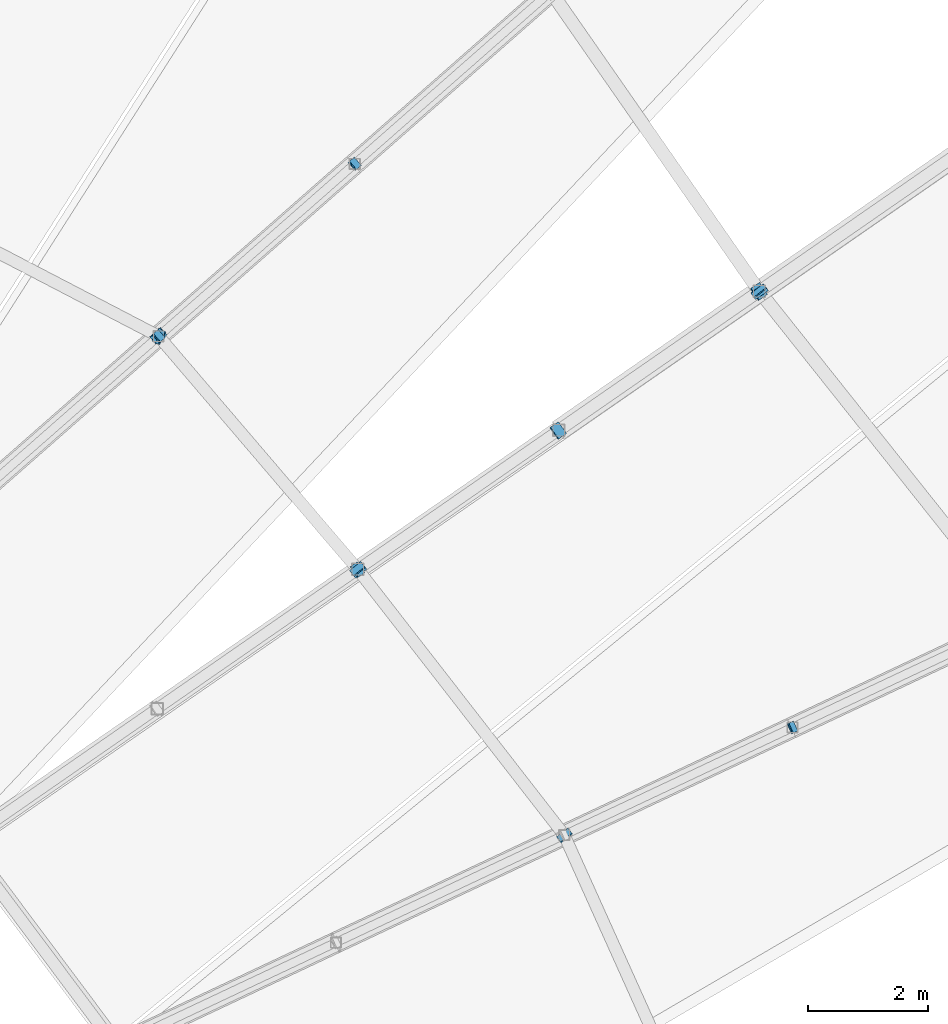
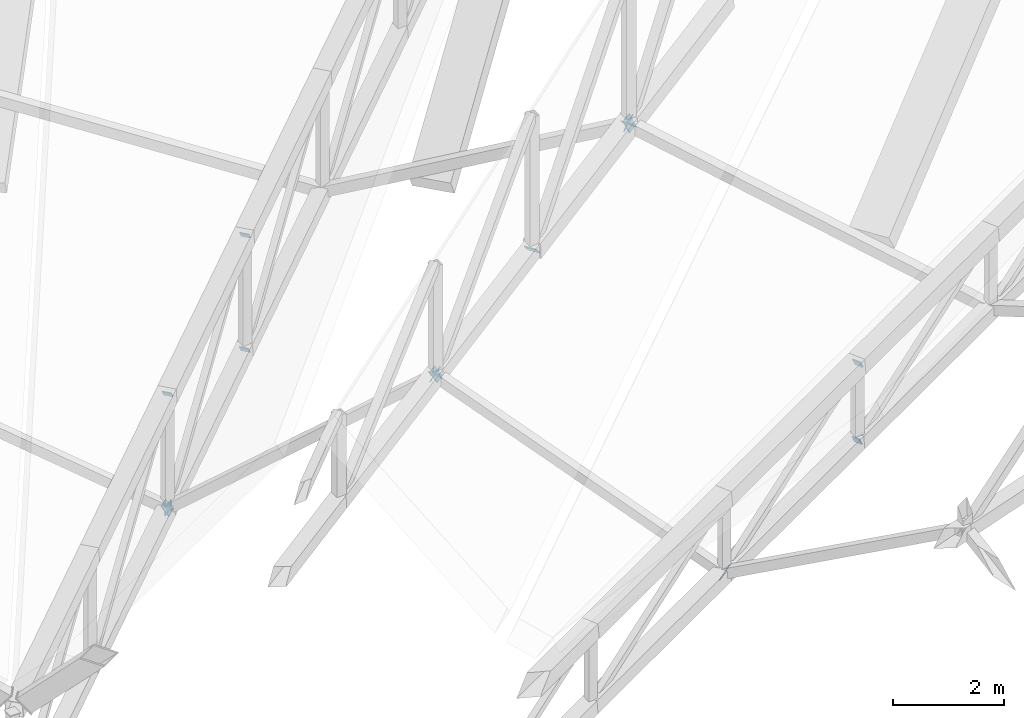
# One storey, part 332 of 344: 16 discrete accessories.
"""IFC4 building model written with IfcOpenShell, lengths in metres."""

from ifc_helpers import new_model, si_unit, direction, frame, origin, origin_2d, place, context, subcontext, project, spatial, rectangle, extrude, material, material_profile, profile_set, type_object, element, save


model = new_model("IFC4")

# Units and contexts
model_context = context("Model", 3, precision=1e-05, world=origin(), true_north=direction((0.0, 1.0)))
body_context = subcontext(model_context, "Body", "Model", "MODEL_VIEW")
ifc_project = project(units=[si_unit("LENGTHUNIT", "METRE"), si_unit("AREAUNIT", "SQUARE_METRE"), si_unit("VOLUMEUNIT", "CUBIC_METRE"), si_unit("PLANEANGLEUNIT", "RADIAN"), si_unit("MASSUNIT", "GRAM", prefix="KILO")], contexts=[model_context])

# Site, building, storey
site_placement = place(None, origin())
site = spatial("IfcSite", under=ifc_project, at=site_placement, CompositionType="ELEMENT")
building_placement = place(site_placement, origin())
building = spatial("IfcBuilding", under=site, at=building_placement, Name="Meseta Stadium", CompositionType="ELEMENT")
storey_placement = place(building_placement, frame((0.0, 0.0, 24.0)))
storey = spatial("IfcBuildingStorey", under=building, at=storey_placement, Name="L04", CompositionType="ELEMENT", Elevation=24.0)

# Discrete accessories
ifc_material_1 = material(Name="Steel S355", Category="steel")
ifc_material_profile_1 = material_profile(ifc_material_1, rectangle(XDim=0.179931640625, YDim=0.179931640625, at=origin_2d()), Name="PL 180x180")
ifc_profile_set_1 = profile_set([ifc_material_profile_1], Name="Steel S355")
discrete_accessory_type_1 = type_object("IfcDiscreteAccessoryType", Name="End plate 180x180x20", PredefinedType="ANCHORPLATE", material=ifc_profile_set_1)
discrete_accessory_1_placement = place(storey_placement, frame((55.553955078125, 60.97265625, 5.543701171875), z_axis=(0.802836314561, 0.382891165406, 0.456999132904), x_axis=(-0.430472524882, 0.902603681203, 0.0)))
element("IfcDiscreteAccessory", 1, at=discrete_accessory_1_placement, inside=storey, type_object=discrete_accessory_type_1, Name="End plate of ROOF TRUSS RT-11 diagonal", PredefinedType="ANCHORPLATE", context=body_context, shape_type="SweptSolid", body=[
    extrude(rectangle(XDim=0.179931640625, YDim=0.179931640625, at=origin_2d()), origin(), (0.0, 0.0, 1.0), 0.019775390625),
])
for number, where, z_axis, x_axis, name in (
    (2, (55.537841796875, 60.965087890625, 3.85498046875), (0.807162077407, 0.379121581812, 0.452499952486), (-0.425136471467, 0.905129261834, 0.0), "End plate of ROOF TRUSS RT-11 diagonal"),
    (3, (44.960205078125, 67.51220703125, 4.607666015625), (0.609031921418, 0.535948090848, 0.584670644561), (-0.660627894892, 0.750713516923, 0.0), "End plate of ROOF TRUSS RT-13 diagonal"),
    (4, (44.947998046875, 67.50146484375, 2.1025390625), (0.613369973061, 0.539765576293, 0.576567774677), (-0.660627894892, 0.750713516923, 0.0), "End plate of ROOF TRUSS RT-13 diagonal"),
):
    element("IfcDiscreteAccessory", number, at=place(storey_placement, frame(where, z_axis=z_axis, x_axis=x_axis)), inside=storey, type_object=discrete_accessory_type_1, Name=name, PredefinedType="ANCHORPLATE", context=body_context, shape_type="SweptSolid", body=[
        extrude(rectangle(XDim=0.179931640625, YDim=0.179931640625, at=origin_2d()), origin(), (0.0, 0.0, 1.0), 0.02001953125),
    ])
discrete_accessory_2_placement = place(storey_placement, frame((48.237060546875, 70.392333984375, 5.2109375), z_axis=(0.616609740429, 0.531977030959, 0.580338579228), x_axis=(-0.653233256547, 0.757156729179, 0.0)))
element("IfcDiscreteAccessory", 5, at=discrete_accessory_2_placement, inside=storey, type_object=discrete_accessory_type_1, Name="End plate of ROOF TRUSS RT-13 diagonal", PredefinedType="ANCHORPLATE", context=body_context, shape_type="SweptSolid", body=[
    extrude(rectangle(XDim=0.179931640625, YDim=0.179931640625, at=origin_2d()), origin(), (0.0, 0.0, 1.0), 0.020263671875),
])
discrete_accessory_3_placement = place(storey_placement, frame((48.224853515625, 70.381591796875, 2.705810546875), z_axis=(0.613369973061, 0.539765576293, 0.576567774677), x_axis=(-0.660627894892, 0.750713516923, 0.0)))
element("IfcDiscreteAccessory", 6, at=discrete_accessory_3_placement, inside=storey, type_object=discrete_accessory_type_1, Name="End plate of ROOF TRUSS RT-13 diagonal", PredefinedType="ANCHORPLATE", context=body_context, shape_type="SweptSolid", body=[
    extrude(rectangle(XDim=0.179931640625, YDim=0.179931640625, at=origin_2d()), origin(), (0.0, 0.0, 1.0), 0.02001953125),
])
ifc_material_2 = material(Name="Steel S355", Category="steel")
ifc_material_profile_2 = material_profile(ifc_material_2, rectangle(XDim=0.219970703125, YDim=0.219970703125, at=origin_2d()), Name="PL 220x220")
ifc_profile_set_2 = profile_set([ifc_material_profile_2], Name="Steel S355")
discrete_accessory_type_2 = type_object("IfcDiscreteAccessoryType", Name="End plate 220x220x20", PredefinedType="ANCHORPLATE", material=ifc_profile_set_2)
discrete_accessory_4_placement = place(storey_placement, frame((48.276611328125, 63.604736328125, 6.234619140625), z_axis=(0.655569641534, 0.449186606236, 0.607008927346), x_axis=(-0.565231440294, 0.824932372321, 0.0)))
element("IfcDiscreteAccessory", 7, at=discrete_accessory_4_placement, inside=storey, type_object=discrete_accessory_type_2, Name="End plate of ROOF TRUSS RT-12 diagonal", PredefinedType="ANCHORPLATE", context=body_context, shape_type="SweptSolid", body=[
    extrude(rectangle(XDim=0.219970703125, YDim=0.219970703125, at=origin_2d()), origin(), (0.0, 0.0, 1.0), 0.02001953125),
])
ifc_material_3 = material(Name="Steel S355", Category="steel")
ifc_material_profile_3 = material_profile(ifc_material_3, rectangle(XDim=0.239990234375, YDim=0.239990234375, at=origin_2d()), Name="PL 240x240")
ifc_profile_set_3 = profile_set([ifc_material_profile_3], Name="Steel S355")
discrete_accessory_type_3 = type_object("IfcDiscreteAccessoryType", Name="End plate 240x240x20", PredefinedType="ANCHORPLATE", material=ifc_profile_set_3)
for number, where, z_axis, x_axis, name in (
    (8, (51.632568359375, 65.93017578125, 6.412353515625), (0.60858061945, 0.426006433615, 0.669438681395), (-0.573462344363, 0.819231920519, 0.0), "End plate of ROOF TRUSS RT-12 diagonal"),
    (9, (54.988525390625, 68.255859375, 6.590087890625), (0.573597420318, 0.390534413834, 0.720047825506), (-0.562790977082, 0.826599247589, 0.0), "End plate of ROOF TRUSS RT-12 diagonal"),
    (10, (51.74951171875, 59.161376953125, 3.3681640625), (-0.552116069452, 0.699347021306, 0.453962101549), (-0.784882765533, -0.619644288579, 0.0), "End plate of ROOF TRUSS STRUT RT-11/12"),
    (11, (48.289794921875, 63.61376953125, 6.246826171875), (-0.552116069452, 0.699347021306, 0.453962101549), (-0.784882765533, -0.619644288579, 0.0), "End plate of ROOF TRUSS STRUT RT-11/12"),
    (12, (48.2998046875, 63.601806640625, 6.25927734375), (-0.501531397154, 0.599391181965, -0.623856128167), (-0.766936804903, -0.641722632674, 0.0), "End plate of ROOF TRUSS STRUT RT-12/13"),
    (13, (44.960205078125, 67.51220703125, 2.114013671875), (-0.510602919511, 0.595703406096, -0.620017830835), (-0.759256602365, -0.650791373456, 0.0), "End plate of ROOF TRUSS STRUT RT-12/13"),
):
    element("IfcDiscreteAccessory", number, at=place(storey_placement, frame(where, z_axis=z_axis, x_axis=x_axis)), inside=storey, type_object=discrete_accessory_type_3, Name=name, PredefinedType="ANCHORPLATE", context=body_context, shape_type="SweptSolid", body=[
        extrude(rectangle(XDim=0.239990234375, YDim=0.239990234375, at=origin_2d()), origin(), (0.0, 0.0, 1.0), 0.02001953125),
    ])
discrete_accessory_5_placement = place(storey_placement, frame((44.975341796875, 67.50439453125, 2.103759765625), z_axis=(-0.76132384224, 0.39294133793, 0.515735506033), x_axis=(-0.45864291977, -0.888620657055, 0.0)))
element("IfcDiscreteAccessory", 14, at=discrete_accessory_5_placement, inside=storey, type_object=discrete_accessory_type_3, Name="End plate of ROOF TRUSS STRUT RT-13/14", PredefinedType="ANCHORPLATE", context=body_context, shape_type="SweptSolid", body=[
    extrude(rectangle(XDim=0.239990234375, YDim=0.239990234375, at=origin_2d()), origin(), (0.0, 0.0, 1.0), 0.019775390625),
])
ifc_material_4 = material(Name="Steel S355", Category="steel")
ifc_material_profile_4 = material_profile(ifc_material_4, rectangle(XDim=0.260009765625, YDim=0.260009765625, at=origin_2d()), Name="PL 260x260")
ifc_profile_set_4 = profile_set([ifc_material_profile_4], Name="Steel S355")
discrete_accessory_type_4 = type_object("IfcDiscreteAccessoryType", Name="End plate 260x260x20", PredefinedType="ANCHORPLATE", material=ifc_profile_set_4)
for number, where, z_axis, x_axis, name in (
    (15, (55.0, 68.263671875, 6.6044921875), (-0.596541586591, 0.742633403715, 0.304357952342), (-0.77962036012, -0.626252420424, 0.0), "End plate of ROOF TRUSS STRUT RT-11/12"),
    (16, (55.010009765625, 68.249267578125, 6.614013671875), (-0.501531397154, 0.721715912978, -0.477066450951), (-0.821188788729, -0.570656615896, 0.0), "End plate of ROOF TRUSS STRUT RT-12/13"),
):
    element("IfcDiscreteAccessory", number, at=place(storey_placement, frame(where, z_axis=z_axis, x_axis=x_axis)), inside=storey, type_object=discrete_accessory_type_4, Name=name, PredefinedType="ANCHORPLATE", context=body_context, shape_type="SweptSolid", body=[
        extrude(rectangle(XDim=0.260009765625, YDim=0.260009765625, at=origin_2d()), origin(), (0.0, 0.0, 1.0), 0.02001953125),
    ])

save(model, "model.ifc")
